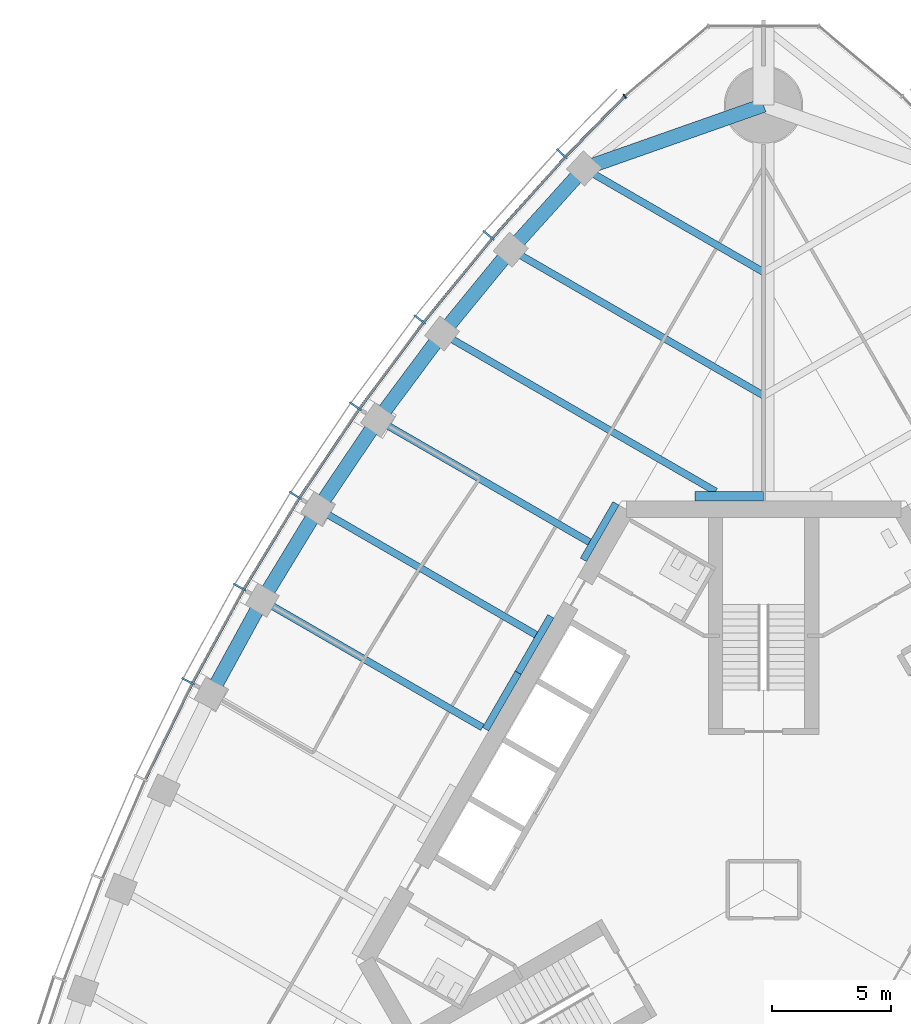
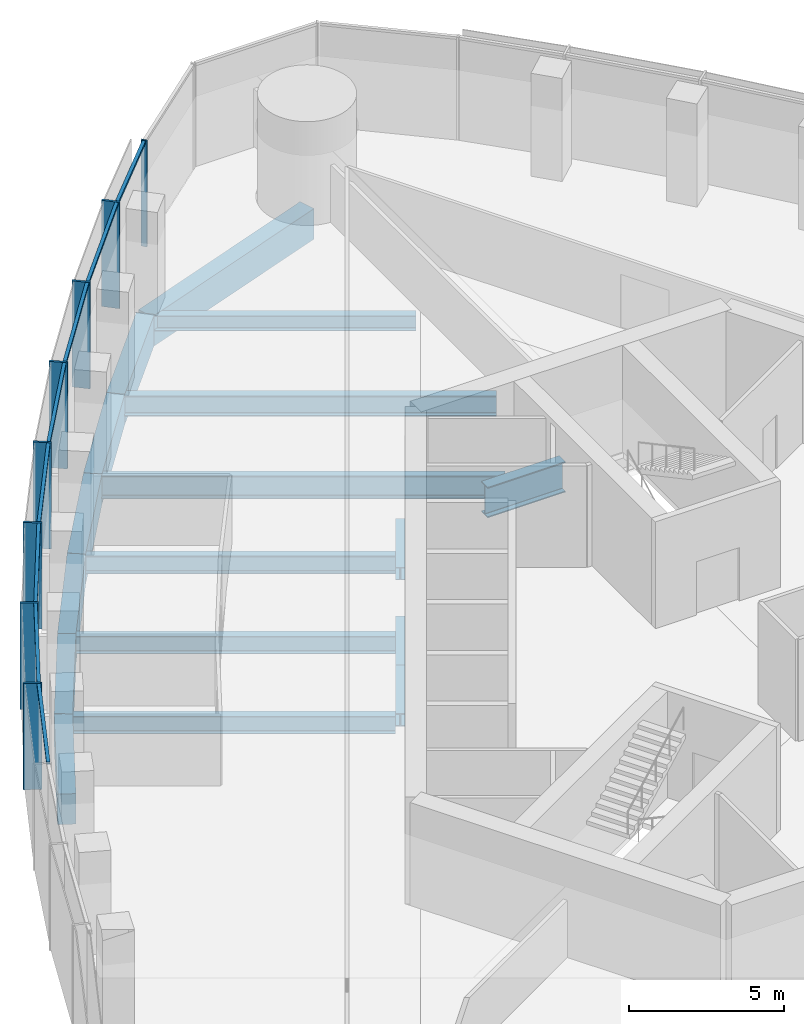
# One storey, part 5 of 19: 17 beams, 16 members, 2 elements without a shape of their own.
"""IFC4 building model written with IfcOpenShell, lengths in metres."""

from ifc_helpers import new_model, si_unit, direction, frame, origin, origin_2d, place, context, subcontext, project, spatial, rectangle, i_section, extrude, material, material_profile, profile_set, type_object, element, aggregate, save


model = new_model("IFC4")

# Units and contexts
model_context = context("Model", 3, precision=1e-05, world=origin(), true_north=direction((0.0, 1.0)))
body_context = subcontext(model_context, "Body", "Model", "MODEL_VIEW")
ifc_project = project(units=[si_unit("LENGTHUNIT", "METRE"), si_unit("AREAUNIT", "SQUARE_METRE"), si_unit("VOLUMEUNIT", "CUBIC_METRE"), si_unit("PLANEANGLEUNIT", "RADIAN"), si_unit("MASSUNIT", "GRAM", prefix="KILO")], contexts=[model_context])

# Site, building, storey
site_placement = place(None, origin())
site = spatial("IfcSite", under=ifc_project, at=site_placement, CompositionType="ELEMENT")
building_placement = place(site_placement, origin())
building = spatial("IfcBuilding", under=site, at=building_placement, Name="Trefoil Bronze Tower", CompositionType="ELEMENT")
storey_placement = place(building_placement, frame((0.0, 0.0, 240.10009765625)))
storey = spatial("IfcBuildingStorey", under=building, at=storey_placement, Name="L55", CompositionType="ELEMENT", Elevation=240.10009765625)

# Curtain wall, members
ifc_material_1 = material(Name="Tinted solar-control glass", Category="glass")
curtain_wall_type_1 = type_object("IfcCurtainWallType", Name="Bronze office curtain wall", PredefinedType="USERDEFINED", material=ifc_material_1)
curtain_wall_1_placement = place(storey_placement, origin())
curtain_wall_1 = element("IfcCurtainWall", 1, at=curtain_wall_1_placement, inside=storey, type_object=curtain_wall_type_1, Name="CW-A L55 F3", ObjectType="CURTAIN WALL", PredefinedType="USERDEFINED")
ifc_material_2 = material(Name="Bronze-finish aluminium", Category="aluminium")
ifc_material_profile_1 = material_profile(ifc_material_2, rectangle(XDim=0.60009765625, YDim=0.080078125, at=origin_2d()), Name="CW-A mullion")
ifc_profile_set_1 = profile_set([ifc_material_profile_1], Name="Bronze-finish aluminium")
member_type_1 = type_object("IfcMemberType", Name="Bronze office curtain wall mullion", PredefinedType="MULLION", material=ifc_profile_set_1)
member_1_placement = place(storey_placement, frame((-8.482177734375, 30.95654296875, 0.0), z_axis=(0.0, 0.0, 1.0), x_axis=(0.729859580661, -0.683597098091, 0.0)))
member_1 = element("IfcMember", 2, at=member_1_placement, type_object=member_type_1, Name="CW-A L55 F3 mullion 2", PredefinedType="MULLION", context=body_context, shape_type="SweptSolid", body=[
    extrude(rectangle(XDim=0.60009765625, YDim=0.080078125, at=origin_2d()), origin(), (0.0, 0.0, 1.0), 4.179931640625),
])
member_2_placement = place(storey_placement, frame((-11.564697265625, 27.525146484375, 0.0), z_axis=(0.0, 0.0, 1.0), x_axis=(0.75935470958, -0.650676897576, 0.0)))
member_2 = element("IfcMember", 3, at=member_2_placement, type_object=member_type_1, Name="CW-A L55 F3 mullion 3", PredefinedType="MULLION", context=body_context, shape_type="SweptSolid", body=[
    extrude(rectangle(XDim=0.60009765625, YDim=0.080078125, at=origin_2d()), origin(), (0.0, 0.0, 1.0), 4.179931640625),
])
member_3_placement = place(storey_placement, frame((-14.45849609375, 23.98388671875, 0.0), z_axis=(0.0, 0.0, 1.0), x_axis=(0.788821461078, -0.614622406476, 0.0)))
member_3 = element("IfcMember", 4, at=member_3_placement, type_object=member_type_1, Name="CW-A L55 F3 mullion 4", PredefinedType="MULLION", context=body_context, shape_type="SweptSolid", body=[
    extrude(rectangle(XDim=0.60009765625, YDim=0.080078125, at=origin_2d()), origin(), (0.0, 0.0, 1.0), 4.179931640625),
])
member_4_placement = place(storey_placement, frame((-17.167236328125, 20.335693359375, 0.0), z_axis=(0.0, 0.0, 1.0), x_axis=(0.81640398396, -0.577481198806, 0.0)))
member_4 = element("IfcMember", 5, at=member_4_placement, type_object=member_type_1, Name="CW-A L55 F3 mullion 5", PredefinedType="MULLION", context=body_context, shape_type="SweptSolid", body=[
    extrude(rectangle(XDim=0.60009765625, YDim=0.080078125, at=origin_2d()), origin(), (0.0, 0.0, 1.0), 4.179931640625),
])
member_5_placement = place(storey_placement, frame((-19.694091796875, 16.58251953125, 0.0), z_axis=(0.0, 0.0, 1.0), x_axis=(0.842132664593, -0.539270410114, 0.0)))
member_5 = element("IfcMember", 6, at=member_5_placement, type_object=member_type_1, Name="CW-A L55 F3 mullion 6", PredefinedType="MULLION", context=body_context, shape_type="SweptSolid", body=[
    extrude(rectangle(XDim=0.60009765625, YDim=0.080078125, at=origin_2d()), origin(), (0.0, 0.0, 1.0), 4.179931640625),
])
member_6_placement = place(storey_placement, frame((-22.041015625, 12.725341796875, 0.0), z_axis=(0.0, 0.0, 1.0), x_axis=(0.866025403784, -0.5, 0.0)))
member_6 = element("IfcMember", 7, at=member_6_placement, type_object=member_type_1, Name="CW-A L55 F3 mullion 7", PredefinedType="MULLION", context=body_context, shape_type="SweptSolid", body=[
    extrude(rectangle(XDim=0.60009765625, YDim=0.080078125, at=origin_2d()), origin(), (0.0, 0.0, 1.0), 4.179931640625),
])
member_7_placement = place(storey_placement, frame((-24.2080078125, 8.764404296875, 0.0), z_axis=(0.0, 0.0, 1.0), x_axis=(0.888088206965, -0.459673075837, 0.0)))
member_7 = element("IfcMember", 8, at=member_7_placement, type_object=member_type_1, Name="CW-A L55 F3 mullion 8", PredefinedType="MULLION", context=body_context, shape_type="SweptSolid", body=[
    extrude(rectangle(XDim=0.60009765625, YDim=0.080078125, at=origin_2d()), origin(), (0.0, 0.0, 1.0), 4.179931640625),
])
ifc_material_3 = material(Name="Bronze-finish aluminium", Category="aluminium")
ifc_material_profile_2 = material_profile(ifc_material_3, rectangle(XDim=0.1201171875, YDim=0.10009765625, at=origin_2d()), Name="CW-A transom")
ifc_profile_set_2 = profile_set([ifc_material_profile_2], Name="Bronze-finish aluminium")
member_type_2 = type_object("IfcMemberType", Name="Bronze office curtain wall transom", PredefinedType="USERDEFINED", material=ifc_profile_set_2)
member_8_placement = place(storey_placement, frame((-5.873046875, 33.342529296875, 4.1298828125), z_axis=(-0.698646935368, -0.715466602785, 0.0), x_axis=(0.715466602785, -0.698646935368, 0.0)))
member_8 = element("IfcMember", 9, at=member_8_placement, type_object=member_type_2, Name="CW-A L55 F3 transom 1", ObjectType="TRANSOM", PredefinedType="USERDEFINED", context=body_context, shape_type="SweptSolid", body=[
    extrude(rectangle(XDim=0.1201171875, YDim=0.10009765625, at=origin_2d()), origin(), (0.0, 0.0, 1.0), 3.483642578125),
])
member_9_placement = place(storey_placement, frame((-8.364501953125, 30.78857421875, 4.1298828125), z_axis=(-0.66825109551, -0.743935799213, 0.0), x_axis=(0.743935799213, -0.66825109551, 0.0)))
member_9 = element("IfcMember", 10, at=member_9_placement, type_object=member_type_2, Name="CW-A L55 F3 transom 2", ObjectType="TRANSOM", PredefinedType="USERDEFINED", context=body_context, shape_type="SweptSolid", body=[
    extrude(rectangle(XDim=0.1201171875, YDim=0.10009765625, at=origin_2d()), origin(), (0.0, 0.0, 1.0), 4.519287109375),
])
member_10_placement = place(storey_placement, frame((-11.439453125, 27.3623046875, 4.1298828125), z_axis=(-0.632756871921, -0.774350528531, 0.0), x_axis=(0.774350528531, -0.632756871921, 0.0)))
member_10 = element("IfcMember", 11, at=member_10_placement, type_object=member_type_2, Name="CW-A L55 F3 transom 3", ObjectType="TRANSOM", PredefinedType="USERDEFINED", context=body_context, shape_type="SweptSolid", body=[
    extrude(rectangle(XDim=0.1201171875, YDim=0.10009765625, at=origin_2d()), origin(), (0.0, 0.0, 1.0), 4.4794921875),
])
member_11_placement = place(storey_placement, frame((-14.325927734375, 23.826904296875, 4.1298828125), z_axis=(-0.59614822717, -0.802874393191, 0.0), x_axis=(0.802874393191, -0.59614822717, 0.0)))
member_11 = element("IfcMember", 12, at=member_11_placement, type_object=member_type_2, Name="CW-A L55 F3 transom 4", ObjectType="TRANSOM", PredefinedType="USERDEFINED", context=body_context, shape_type="SweptSolid", body=[
    extrude(rectangle(XDim=0.1201171875, YDim=0.10009765625, at=origin_2d()), origin(), (0.0, 0.0, 1.0), 4.449951171875),
])
member_12_placement = place(storey_placement, frame((-17.027587890625, 20.18505859375, 4.1298828125), z_axis=(-0.558509087547, -0.829498402125, 0.0), x_axis=(0.829498402125, -0.558509087547, 0.0)))
member_12 = element("IfcMember", 13, at=member_12_placement, type_object=member_type_2, Name="CW-A L55 F3 transom 5", ObjectType="TRANSOM", PredefinedType="USERDEFINED", context=body_context, shape_type="SweptSolid", body=[
    extrude(rectangle(XDim=0.1201171875, YDim=0.10009765625, at=origin_2d()), origin(), (0.0, 0.0, 1.0), 4.4306640625),
])
member_13_placement = place(storey_placement, frame((-19.5478515625, 16.4384765625, 4.1298828125), z_axis=(-0.519740214649, -0.854324358354, 0.0), x_axis=(0.854324358354, -0.519740214649, 0.0)))
member_13 = element("IfcMember", 14, at=member_13_placement, type_object=member_type_2, Name="CW-A L55 F3 transom 6", ObjectType="TRANSOM", PredefinedType="USERDEFINED", context=body_context, shape_type="SweptSolid", body=[
    extrude(rectangle(XDim=0.1201171875, YDim=0.10009765625, at=origin_2d()), origin(), (0.0, 0.0, 1.0), 4.421142578125),
])
member_14_placement = place(storey_placement, frame((-21.887939453125, 12.588134765625, 4.1298828125), z_axis=(-0.479973729071, -0.877282861683, 0.0), x_axis=(0.877282861683, -0.479973729071, 0.0)))
member_14 = element("IfcMember", 15, at=member_14_placement, type_object=member_type_2, Name="CW-A L55 F3 transom 7", ObjectType="TRANSOM", PredefinedType="USERDEFINED", context=body_context, shape_type="SweptSolid", body=[
    extrude(rectangle(XDim=0.1201171875, YDim=0.10009765625, at=origin_2d()), origin(), (0.0, 0.0, 1.0), 4.421142578125),
])
member_15_placement = place(storey_placement, frame((-24.048828125, 8.634521484375, 4.1298828125), z_axis=(-0.439150835991, -0.898413347657, 0.0), x_axis=(0.898413347657, -0.439150835991, 0.0)))
member_15 = element("IfcMember", 16, at=member_15_placement, type_object=member_type_2, Name="CW-A L55 F3 transom 8", ObjectType="TRANSOM", PredefinedType="USERDEFINED", context=body_context, shape_type="SweptSolid", body=[
    extrude(rectangle(XDim=0.1201171875, YDim=0.10009765625, at=origin_2d()), origin(), (0.0, 0.0, 1.0), 4.430908203125),
])
aggregate(curtain_wall_1, [member_1, member_2, member_3, member_4, member_5, member_6, member_7, member_8, member_9, member_10, member_11, member_12, member_13, member_14, member_15])

# Curtain wall, member
ifc_material_4 = material(Name="Tinted solar-control glass", Category="glass")
curtain_wall_type_2 = type_object("IfcCurtainWallType", Name="Bronze rounded corner curtain wall", PredefinedType="USERDEFINED", material=ifc_material_4)
curtain_wall_2_placement = place(storey_placement, origin())
curtain_wall_2 = element("IfcCurtainWall", 17, at=curtain_wall_2_placement, inside=storey, type_object=curtain_wall_type_2, Name="CW-B L55 K2", ObjectType="CURTAIN WALL", PredefinedType="USERDEFINED")
ifc_material_5 = material(Name="Bronze-finish aluminium", Category="aluminium")
ifc_material_profile_3 = material_profile(ifc_material_5, rectangle(XDim=0.199951171875, YDim=0.06005859375, at=origin_2d()), Name="CW-B mullion")
ifc_profile_set_3 = profile_set([ifc_material_profile_3], Name="Bronze-finish aluminium")
member_type_3 = type_object("IfcMemberType", Name="Bronze rounded corner curtain wall mullion", PredefinedType="MULLION", material=ifc_profile_set_3)
member_16_placement = place(storey_placement, frame((-5.837890625, 33.3779296875, 0.0), z_axis=(0.0, 0.0, 1.0), x_axis=(0.642787609687, -0.766044443119, 0.0)))
member_16 = element("IfcMember", 18, at=member_16_placement, type_object=member_type_3, Name="CW-B L55 K2 mullion 4", PredefinedType="MULLION", context=body_context, shape_type="SweptSolid", body=[
    extrude(rectangle(XDim=0.199951171875, YDim=0.06005859375, at=origin_2d()), origin(), (0.0, 0.0, 1.0), 4.179931640625),
])
aggregate(curtain_wall_2, [member_16])

# Beams
ifc_material_6 = material(Name="Steel C355", Category="steel")
ifc_material_profile_4 = material_profile(ifc_material_6, i_section(OverallWidth=0.300048828125, OverallDepth=0.5, WebThickness=0.014404296875, FlangeThickness=0.028076171875, FilletRadius=0.027099609375, at=origin_2d()), Name="HEB 500")
ifc_profile_set_4 = profile_set([ifc_material_profile_4], Name="Steel C355")
beam_type_1 = type_object("IfcBeamType", Name="Core seat beam HEB 500", PredefinedType="BEAM", material=ifc_profile_set_4)
for number, where, z_axis, x_axis, name in (
    (19, (-6.20654296875, 16.25, -0.4501953125), (-0.499969057507, -0.866043267704, 0.0), (0.866043267704, -0.499969057507, 0.0), "Core seat beam F3/-2 L55"),
    (20, (-8.948974609375, 11.5, -0.4501953125), (-0.499969057507, -0.866043267704, 0.0), (0.866043267704, -0.499969057507, 0.0), "Core seat beam F3/-1 L55"),
    (21, (-10.320068359375, 9.125, -0.4501953125), (-0.500035825175, -0.866004719122, 0.0), (0.866004719122, -0.500035825175, 0.0), "Core seat beam F3/+0 L55"),
):
    element("IfcBeam", number, at=place(storey_placement, frame(where, z_axis=z_axis, x_axis=x_axis)), inside=storey, type_object=beam_type_1, Name=name, PredefinedType="BEAM", context=body_context, shape_type="SweptSolid", body=[
        extrude(i_section(OverallWidth=0.300048828125, OverallDepth=0.5, WebThickness=0.014404296875, FlangeThickness=0.028076171875, FilletRadius=0.027099609375, at=origin_2d()), origin(), (0.0, 0.0, 1.0), 2.742431640625),
    ])
ifc_material_7 = material(Name="Steel C355", Category="steel")
ifc_material_profile_5 = material_profile(ifc_material_7, i_section(OverallWidth=0.39990234375, OverallDepth=1.199951171875, WebThickness=0.02001953125, FlangeThickness=0.0400390625, FilletRadius=0.010009765625, at=origin_2d()), Name="WPG 1200")
ifc_profile_set_5 = profile_set([ifc_material_profile_5], Name="Steel C355")
beam_type_2 = type_object("IfcBeamType", Name="Core seat beam WPG 1200", PredefinedType="BEAM", material=ifc_profile_set_5)
beam_1_placement = place(storey_placement, frame((0.0, 16.550048828125, -0.800048828125), z_axis=(-1.0, 0.0, 0.0), x_axis=(0.0, -1.0, 0.0)))
element("IfcBeam", 22, at=beam_1_placement, inside=storey, type_object=beam_type_2, Name="Core seat beam F3/-3 L55", PredefinedType="BEAM", context=body_context, shape_type="SweptSolid", body=[
    extrude(i_section(OverallWidth=0.39990234375, OverallDepth=1.199951171875, WebThickness=0.02001953125, FlangeThickness=0.0400390625, FilletRadius=0.010009765625, at=origin_2d()), origin(), (0.0, 0.0, 1.0), 2.88671875),
])
ifc_material_8 = material(Name="Concrete B80", Category="concrete")
ifc_material_profile_6 = material_profile(ifc_material_8, rectangle(XDim=0.60009765625, YDim=1.199951171875, at=origin_2d()), Name="RC 600x1200")
ifc_profile_set_6 = profile_set([ifc_material_profile_6], Name="Concrete B80")
beam_type_3 = type_object("IfcBeamType", Name="End spandrel beam RC 600x1200", PredefinedType="SPANDREL", material=ifc_profile_set_6)
beam_2_placement = place(storey_placement, frame((0.0, 33.0, -0.800048828125), z_axis=(-0.943234397359, -0.332127794137, 0.0), x_axis=(0.332127794137, -0.943234397359, 0.0)))
element("IfcBeam", 23, at=beam_2_placement, inside=storey, type_object=beam_type_3, Name="Spandrel F3.1 L55", PredefinedType="SPANDREL", context=body_context, shape_type="SweptSolid", body=[
    extrude(rectangle(XDim=0.60009765625, YDim=1.199951171875, at=origin_2d()), origin(), (0.0, 0.0, 1.0), 8.006591796875),
])
ifc_material_9 = material(Name="Steel C355", Category="steel")
ifc_material_profile_7 = material_profile(ifc_material_9, i_section(OverallWidth=0.300048828125, OverallDepth=0.590087890625, WebThickness=0.012939453125, FlangeThickness=0.02490234375, FilletRadius=0.027099609375, at=origin_2d()), Name="HEA 600")
ifc_profile_set_7 = profile_set([ifc_material_profile_7], Name="Steel C355")
beam_type_4 = type_object("IfcBeamType", Name="Floor beam HEA 600", PredefinedType="BEAM", material=ifc_profile_set_7)
beam_3_placement = place(storey_placement, frame((-7.552001953125, 30.3408203125, -0.4951171875), z_axis=(0.866027535932, -0.499996306993, 0.0), x_axis=(0.499996306993, 0.866027535932, 0.0)))
element("IfcBeam", 24, at=beam_3_placement, inside=storey, type_object=beam_type_4, Name="Floor beam F3/-5 L55", PredefinedType="BEAM", context=body_context, shape_type="SweptSolid", body=[
    extrude(i_section(OverallWidth=0.300048828125, OverallDepth=0.590087890625, WebThickness=0.012939453125, FlangeThickness=0.02490234375, FilletRadius=0.027099609375, at=origin_2d()), origin(), (0.0, 0.0, 1.0), 8.72021484375),
])
ifc_material_10 = material(Name="Steel C355", Category="steel")
ifc_material_profile_8 = material_profile(ifc_material_10, i_section(OverallWidth=0.300048828125, OverallDepth=0.699951171875, WebThickness=0.01708984375, FlangeThickness=0.031982421875, FilletRadius=0.027099609375, at=origin_2d()), Name="HEB 700")
ifc_profile_set_8 = profile_set([ifc_material_profile_8], Name="Steel C355")
beam_type_5 = type_object("IfcBeamType", Name="Floor beam HEB 700", PredefinedType="BEAM", material=ifc_profile_set_8)
beam_4_placement = place(storey_placement, frame((-16.2265625, 19.7607421875, -0.550048828125), z_axis=(0.866019527493, -0.500010177898, 0.0), x_axis=(0.500010177898, 0.866019527493, 0.0)))
element("IfcBeam", 25, at=beam_4_placement, inside=storey, type_object=beam_type_5, Name="Floor beam F3/-2 L55", PredefinedType="BEAM", context=body_context, shape_type="SweptSolid", body=[
    extrude(i_section(OverallWidth=0.300048828125, OverallDepth=0.699951171875, WebThickness=0.01708984375, FlangeThickness=0.031982421875, FilletRadius=0.027099609375, at=origin_2d()), origin(), (0.0, 0.0, 1.0), 10.282958984375),
])
beam_5_placement = place(storey_placement, frame((-18.748046875, 16.020263671875, -0.550048828125), z_axis=(0.86602981261, -0.499992363612, 0.0), x_axis=(0.499992363612, 0.86602981261, 0.0)))
element("IfcBeam", 26, at=beam_5_placement, inside=storey, type_object=beam_type_5, Name="Floor beam F3/-1 L55", PredefinedType="BEAM", context=body_context, shape_type="SweptSolid", body=[
    extrude(i_section(OverallWidth=0.300048828125, OverallDepth=0.699951171875, WebThickness=0.01708984375, FlangeThickness=0.031982421875, FilletRadius=0.027099609375, at=origin_2d()), origin(), (0.0, 0.0, 1.0), 10.596435546875),
])
beam_6_placement = place(storey_placement, frame((-21.08837890625, 12.17529296875, -0.550048828125), z_axis=(0.86602601154, -0.499998947334, 0.0), x_axis=(0.499998947334, 0.86602601154, 0.0)))
element("IfcBeam", 27, at=beam_6_placement, inside=storey, type_object=beam_type_5, Name="Floor beam F3/+0 L55", PredefinedType="BEAM", context=body_context, shape_type="SweptSolid", body=[
    extrude(i_section(OverallWidth=0.300048828125, OverallDepth=0.699951171875, WebThickness=0.01708984375, FlangeThickness=0.031982421875, FilletRadius=0.027099609375, at=origin_2d()), origin(), (0.0, 0.0, 1.0), 10.70068359375),
])
ifc_material_11 = material(Name="Steel C355", Category="steel")
ifc_material_profile_9 = material_profile(ifc_material_11, i_section(OverallWidth=0.300048828125, OverallDepth=0.800048828125, WebThickness=0.017578125, FlangeThickness=0.032958984375, FilletRadius=0.030029296875, at=origin_2d()), Name="HEB 800")
ifc_profile_set_9 = profile_set([ifc_material_profile_9], Name="Steel C355")
beam_type_6 = type_object("IfcBeamType", Name="Floor beam HEB 800", PredefinedType="BEAM", material=ifc_profile_set_9)
beam_7_placement = place(storey_placement, frame((-10.632080078125, 26.923095703125, -0.60009765625), z_axis=(0.866025635187, -0.499999599199, 0.0), x_axis=(0.499999599199, 0.866025635187, 0.0)))
element("IfcBeam", 28, at=beam_7_placement, inside=storey, type_object=beam_type_6, Name="Floor beam F3/-4 L55", PredefinedType="BEAM", context=body_context, shape_type="SweptSolid", body=[
    extrude(i_section(OverallWidth=0.300048828125, OverallDepth=0.800048828125, WebThickness=0.017578125, FlangeThickness=0.032958984375, FilletRadius=0.030029296875, at=origin_2d()), origin(), (0.0, 0.0, 1.0), 12.27685546875),
])
ifc_material_12 = material(Name="Steel C355", Category="steel")
ifc_material_profile_10 = material_profile(ifc_material_12, i_section(OverallWidth=0.300048828125, OverallDepth=0.89990234375, WebThickness=0.0185546875, FlangeThickness=0.034912109375, FilletRadius=0.030029296875, at=origin_2d()), Name="HEB 900")
ifc_profile_set_10 = profile_set([ifc_material_profile_10], Name="Steel C355")
beam_type_7 = type_object("IfcBeamType", Name="Floor beam HEB 900", PredefinedType="BEAM", material=ifc_profile_set_10)
beam_8_placement = place(storey_placement, frame((-13.522216796875, 23.3955078125, -0.650146484375), z_axis=(0.866023461342, -0.500003364394, 0.0), x_axis=(0.500003364394, 0.866023461342, 0.0)))
element("IfcBeam", 29, at=beam_8_placement, inside=storey, type_object=beam_type_7, Name="Floor beam F3/-3 L55", PredefinedType="BEAM", context=body_context, shape_type="SweptSolid", body=[
    extrude(i_section(OverallWidth=0.300048828125, OverallDepth=0.89990234375, WebThickness=0.0185546875, FlangeThickness=0.034912109375, FilletRadius=0.030029296875, at=origin_2d()), origin(), (0.0, 0.0, 1.0), 13.291015625),
])
ifc_material_13 = material(Name="Concrete B80", Category="concrete")
ifc_material_profile_11 = material_profile(ifc_material_13, rectangle(XDim=0.60009765625, YDim=1.199951171875, at=origin_2d()), Name="RC 600x1200")
ifc_profile_set_11 = profile_set([ifc_material_profile_11], Name="Concrete B80")
beam_type_8 = type_object("IfcBeamType", Name="Spandrel beam RC 600x1200", PredefinedType="SPANDREL", material=ifc_profile_set_11)
beam_9_placement = place(storey_placement, frame((-7.552001953125, 30.3408203125, -0.800048828125), z_axis=(-0.669460045872, -0.742848064534, 0.0), x_axis=(0.742848064534, -0.669460045872, 0.0)))
element("IfcBeam", 30, at=beam_9_placement, inside=storey, type_object=beam_type_8, Name="Spandrel F3.2 L55", PredefinedType="SPANDREL", context=body_context, shape_type="SweptSolid", body=[
    extrude(rectangle(XDim=0.60009765625, YDim=1.199951171875, at=origin_2d()), origin(), (0.0, 0.0, 1.0), 4.600830078125),
])
beam_10_placement = place(storey_placement, frame((-10.632080078125, 26.923095703125, -0.800048828125), z_axis=(-0.633753657863, -0.773534938542, 0.0), x_axis=(0.773534938542, -0.633753657863, 0.0)))
element("IfcBeam", 31, at=beam_10_placement, inside=storey, type_object=beam_type_8, Name="Spandrel F3.3 L55", PredefinedType="SPANDREL", context=body_context, shape_type="SweptSolid", body=[
    extrude(rectangle(XDim=0.60009765625, YDim=1.199951171875, at=origin_2d()), origin(), (0.0, 0.0, 1.0), 4.560302734375),
])
beam_11_placement = place(storey_placement, frame((-13.522216796875, 23.3955078125, -0.800048828125), z_axis=(-0.596926078257, -0.802296240236, 0.0), x_axis=(0.802296240236, -0.596926078257, 0.0)))
element("IfcBeam", 32, at=beam_11_placement, inside=storey, type_object=beam_type_8, Name="Spandrel F3.4 L55", PredefinedType="SPANDREL", context=body_context, shape_type="SweptSolid", body=[
    extrude(rectangle(XDim=0.60009765625, YDim=1.199951171875, at=origin_2d()), origin(), (0.0, 0.0, 1.0), 4.530517578125),
])
beam_12_placement = place(storey_placement, frame((-16.2265625, 19.7607421875, -0.800048828125), z_axis=(-0.558964302753, -0.829191719838, 0.0), x_axis=(0.829191719838, -0.558964302753, 0.0)))
element("IfcBeam", 33, at=beam_12_placement, inside=storey, type_object=beam_type_8, Name="Spandrel F3.5 L55", PredefinedType="SPANDREL", context=body_context, shape_type="SweptSolid", body=[
    extrude(rectangle(XDim=0.60009765625, YDim=1.199951171875, at=origin_2d()), origin(), (0.0, 0.0, 1.0), 4.510986328125),
])
for number, where, z_axis, x_axis, name in (
    (34, (-18.748046875, 16.020263671875, -0.800048828125), (-0.519933181394, -0.854206934464, 0.0), (0.854206934464, -0.519933181394, 0.0), "Spandrel F3.6 L55"),
    (35, (-21.08837890625, 12.17529296875, -0.800048828125), (-0.479801903802, -0.87737684783, 0.0), (0.87737684783, -0.479801903802, 0.0), "Spandrel F3.7 L55"),
):
    element("IfcBeam", number, at=place(storey_placement, frame(where, z_axis=z_axis, x_axis=x_axis)), inside=storey, type_object=beam_type_8, Name=name, PredefinedType="SPANDREL", context=body_context, shape_type="SweptSolid", body=[
        extrude(rectangle(XDim=0.60009765625, YDim=1.199951171875, at=origin_2d()), origin(), (0.0, 0.0, 1.0), 4.501220703125),
    ])

save(model, "model.ifc")
